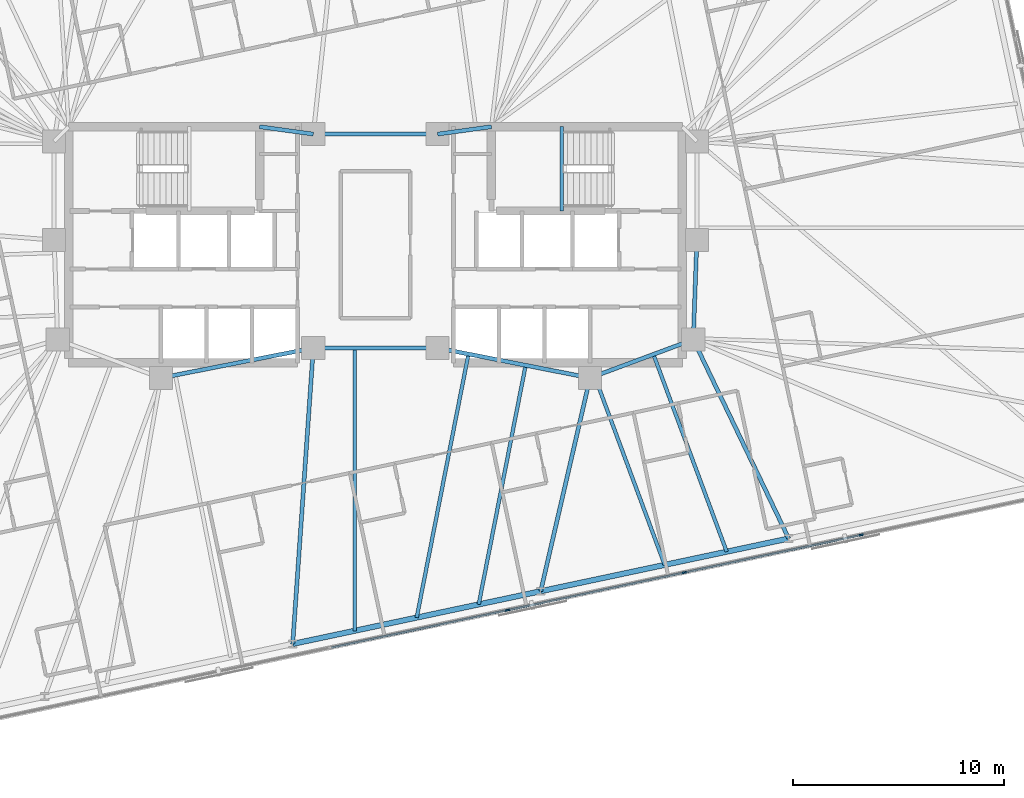
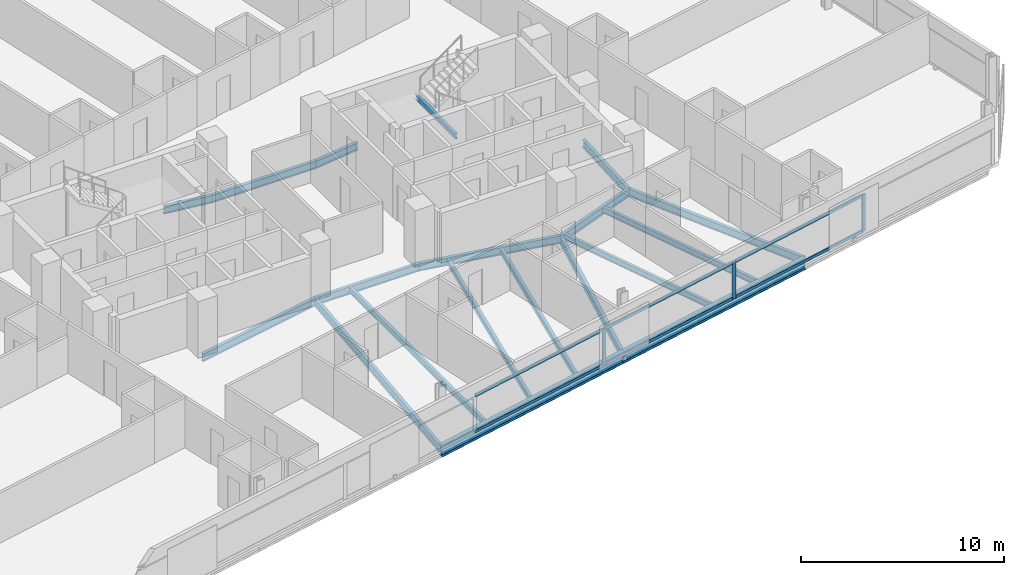
# One storey, part 7 of 20: 19 beams, 9 members, 1 element without a shape of its own.
"""IFC4 building model written with IfcOpenShell, lengths in metres."""

from ifc_helpers import new_model, si_unit, direction, frame, origin, origin_2d, place, context, subcontext, project, spatial, rectangle, i_section, extrude, material, material_profile, profile_set, type_object, element, aggregate, save


model = new_model("IFC4")

# Units and contexts
model_context = context("Model", 3, precision=1e-05, world=origin(), true_north=direction((0.0, 1.0)))
body_context = subcontext(model_context, "Body", "Model", "MODEL_VIEW")
ifc_project = project(units=[si_unit("LENGTHUNIT", "METRE"), si_unit("AREAUNIT", "SQUARE_METRE"), si_unit("VOLUMEUNIT", "CUBIC_METRE"), si_unit("PLANEANGLEUNIT", "RADIAN"), si_unit("MASSUNIT", "GRAM", prefix="KILO")], contexts=[model_context])

# Site, building, storey
site_placement = place(None, origin())
site = spatial("IfcSite", under=ifc_project, at=site_placement, CompositionType="ELEMENT")
building_placement = place(site_placement, origin())
building = spatial("IfcBuilding", under=site, at=building_placement, Name="Menara Jurai Vektor", CompositionType="ELEMENT")
storey_placement = place(building_placement, frame((0.0, 0.0, 199.0)))
storey = spatial("IfcBuildingStorey", under=building, at=storey_placement, Name="L52", CompositionType="ELEMENT", Elevation=199.0)

# Curtain wall, members
ifc_material_1 = material(Name="Anodised Pale Aluminium & Low-E Double Glazing", Category="aluminium")
curtain_wall_type = type_object("IfcCurtainWallType", Name="CW-BLK3", PredefinedType="NOTDEFINED", material=ifc_material_1)
curtain_wall_placement = place(storey_placement, origin())
curtain_wall = element("IfcCurtainWall", 1, at=curtain_wall_placement, inside=storey, type_object=curtain_wall_type, Name="Unitised Curtain Wall L52 F01", PredefinedType="NOTDEFINED")
ifc_material_2 = material(Name="Anodised Pale Aluminium Mullion", Category="aluminium")
ifc_material_profile_1 = material_profile(ifc_material_2, rectangle(XDim=0.0849609375, YDim=0.205078125, at=origin_2d()), Name="ALU MUL 85x205")
ifc_profile_set_1 = profile_set([ifc_material_profile_1], Name="Anodised Pale Aluminium Mullion")
member_type_1 = type_object("IfcMemberType", Name="CW-BLK3-MUL", PredefinedType="MULLION", material=ifc_profile_set_1)
member_1_placement = place(storey_placement, frame((6.264892578125, -17.338623046875, 0.0), z_axis=(0.0, 0.0, 1.0), x_axis=(-0.207911344156, 0.978147674419, 0.0)))
member_1 = element("IfcMember", 2, at=member_1_placement, type_object=member_type_1, Name="CW-03 mullion 5", PredefinedType="MULLION", context=body_context, shape_type="SweptSolid", body=[
    extrude(rectangle(XDim=0.0849609375, YDim=0.205078125, at=origin_2d()), origin(), (0.0, 0.0, 1.0), 2.22509765625),
])
member_2_placement = place(storey_placement, frame((14.65478515625, -15.55517578125, 0.0), z_axis=(0.0, 0.0, 1.0), x_axis=(-0.207911344156, 0.978147674419, 0.0)))
member_2 = element("IfcMember", 3, at=member_2_placement, type_object=member_type_1, Name="CW-03 mullion 6", PredefinedType="MULLION", context=body_context, shape_type="SweptSolid", body=[
    extrude(rectangle(XDim=0.0849609375, YDim=0.205078125, at=origin_2d()), origin(), (0.0, 0.0, 1.0), 2.22509765625),
])
member_3_placement = place(storey_placement, frame((23.04443359375, -13.77197265625, 0.0), z_axis=(0.0, 0.0, 1.0), x_axis=(-0.207911344156, 0.978147674419, 0.0)))
member_3 = element("IfcMember", 4, at=member_3_placement, type_object=member_type_1, Name="CW-03 mullion 7", PredefinedType="MULLION", context=body_context, shape_type="SweptSolid", body=[
    extrude(rectangle(XDim=0.0849609375, YDim=0.205078125, at=origin_2d()), origin(), (0.0, 0.0, 1.0), 2.22509765625),
])
ifc_material_3 = material(Name="Anodised Pale Aluminium Transom", Category="aluminium")
ifc_material_profile_2 = material_profile(ifc_material_3, rectangle(XDim=0.0849609375, YDim=0.175048828125, at=origin_2d()), Name="ALU TRN 85x175")
ifc_profile_set_2 = profile_set([ifc_material_profile_2], Name="Anodised Pale Aluminium Transom")
member_type_2 = type_object("IfcMemberType", Name="CW-BLK3-TRN", PredefinedType="USERDEFINED", material=ifc_profile_set_2)
member_4_placement = place(storey_placement, frame((-2.083251953125, -19.113037109375, 0.04248046875), z_axis=(0.978147743708, 0.207911018178, 0.0), x_axis=(-0.207911018178, 0.978147743708, 0.0)))
member_4 = element("IfcMember", 5, at=member_4_placement, type_object=member_type_2, Name="CW-03 transom 4.1", ObjectType="TRANSOM", PredefinedType="USERDEFINED", context=body_context, shape_type="SweptSolid", body=[
    extrude(rectangle(XDim=0.0849609375, YDim=0.175048828125, at=origin_2d()), origin(), (0.0, 0.0, 1.0), 8.4921875),
])
member_5_placement = place(storey_placement, frame((-2.083251953125, -19.113037109375, 2.1826171875), z_axis=(0.978147743708, 0.207911018178, 0.0), x_axis=(-0.207911018178, 0.978147743708, 0.0)))
member_5 = element("IfcMember", 6, at=member_5_placement, type_object=member_type_2, Name="CW-03 transom 4.2", ObjectType="TRANSOM", PredefinedType="USERDEFINED", context=body_context, shape_type="SweptSolid", body=[
    extrude(rectangle(XDim=0.0849609375, YDim=0.175048828125, at=origin_2d()), origin(), (0.0, 0.0, 1.0), 8.4921875),
])
member_6_placement = place(storey_placement, frame((6.306640625, -17.329833984375, 0.04248046875), z_axis=(0.978146500933, 0.207916864907, 0.0), x_axis=(-0.207916864907, 0.978146500933, 0.0)))
member_6 = element("IfcMember", 7, at=member_6_placement, type_object=member_type_2, Name="CW-03 transom 5.1", ObjectType="TRANSOM", PredefinedType="USERDEFINED", context=body_context, shape_type="SweptSolid", body=[
    extrude(rectangle(XDim=0.0849609375, YDim=0.175048828125, at=origin_2d()), origin(), (0.0, 0.0, 1.0), 8.491943359375),
])
member_7_placement = place(storey_placement, frame((6.306640625, -17.329833984375, 2.1826171875), z_axis=(0.978146500933, 0.207916864907, 0.0), x_axis=(-0.207916864907, 0.978146500933, 0.0)))
member_7 = element("IfcMember", 8, at=member_7_placement, type_object=member_type_2, Name="CW-03 transom 5.2", ObjectType="TRANSOM", PredefinedType="USERDEFINED", context=body_context, shape_type="SweptSolid", body=[
    extrude(rectangle(XDim=0.0849609375, YDim=0.175048828125, at=origin_2d()), origin(), (0.0, 0.0, 1.0), 8.491943359375),
])
member_8_placement = place(storey_placement, frame((14.6962890625, -15.54638671875, 0.04248046875), z_axis=(0.978147743708, 0.207911018178, 0.0), x_axis=(-0.207911018178, 0.978147743708, 0.0)))
member_8 = element("IfcMember", 9, at=member_8_placement, type_object=member_type_2, Name="CW-03 transom 6.1", ObjectType="TRANSOM", PredefinedType="USERDEFINED", context=body_context, shape_type="SweptSolid", body=[
    extrude(rectangle(XDim=0.0849609375, YDim=0.175048828125, at=origin_2d()), origin(), (0.0, 0.0, 1.0), 8.4921875),
])
member_9_placement = place(storey_placement, frame((14.6962890625, -15.54638671875, 2.1826171875), z_axis=(0.978147743708, 0.207911018178, 0.0), x_axis=(-0.207911018178, 0.978147743708, 0.0)))
member_9 = element("IfcMember", 10, at=member_9_placement, type_object=member_type_2, Name="CW-03 transom 6.2", ObjectType="TRANSOM", PredefinedType="USERDEFINED", context=body_context, shape_type="SweptSolid", body=[
    extrude(rectangle(XDim=0.0849609375, YDim=0.175048828125, at=origin_2d()), origin(), (0.0, 0.0, 1.0), 8.4921875),
])
aggregate(curtain_wall, [member_1, member_2, member_3, member_4, member_5, member_6, member_7, member_8, member_9])

# Beams
ifc_material_4 = material(Name="Steel S355", Category="steel")
ifc_material_profile_3 = material_profile(ifc_material_4, i_section(OverallWidth=0.19091796875, OverallDepth=0.4599609375, WebThickness=0.010009765625, FlangeThickness=0.01611328125, FilletRadius=0.010009765625, at=origin_2d()), Name="UKB 457x191x82")
ifc_profile_set_3 = profile_set([ifc_material_profile_3], Name="Steel S355")
beam_type_1 = type_object("IfcBeamType", Name="STR-BM-457", PredefinedType="BEAM", material=ifc_profile_set_3)
beam_1_placement = place(storey_placement, frame((-5.5, 5.60009765625, -0.455078125), z_axis=(0.990706818608, -0.136014703483, 0.0), x_axis=(0.136014703483, 0.990706818608, 0.0)))
element("IfcBeam", 11, at=beam_1_placement, inside=storey, type_object=beam_type_1, Name="Core Ring Header Girder L52-CHW-N2", PredefinedType="BEAM", context=body_context, shape_type="SweptSolid", body=[
    extrude(i_section(OverallWidth=0.19091796875, OverallDepth=0.4599609375, WebThickness=0.010009765625, FlangeThickness=0.01611328125, FilletRadius=0.010009765625, at=origin_2d()), origin(), (0.0, 0.0, 1.0), 2.573974609375),
])
beam_2_placement = place(storey_placement, frame((-10.179931640625, -6.320068359375, -0.455078125), z_axis=(0.981249044334, 0.192744164614, 0.0), x_axis=(-0.192744164614, 0.981249044334, 0.0)))
element("IfcBeam", 12, at=beam_2_placement, inside=storey, type_object=beam_type_1, Name="Core Ring Header Girder L52-CHW-S2", PredefinedType="BEAM", context=body_context, shape_type="SweptSolid", body=[
    extrude(i_section(OverallWidth=0.19091796875, OverallDepth=0.4599609375, WebThickness=0.010009765625, FlangeThickness=0.01611328125, FilletRadius=0.010009765625, at=origin_2d()), origin(), (0.0, 0.0, 1.0), 7.3681640625),
])
beam_3_placement = place(storey_placement, frame((2.949951171875, 5.25, -0.455078125), z_axis=(0.990706818608, 0.136014703483, 0.0), x_axis=(-0.136014703483, 0.990706818608, 0.0)))
element("IfcBeam", 13, at=beam_3_placement, inside=storey, type_object=beam_type_1, Name="Core Ring Header Girder L52-CHE-N1", PredefinedType="BEAM", context=body_context, shape_type="SweptSolid", body=[
    extrude(i_section(OverallWidth=0.19091796875, OverallDepth=0.4599609375, WebThickness=0.010009765625, FlangeThickness=0.01611328125, FilletRadius=0.010009765625, at=origin_2d()), origin(), (0.0, 0.0, 1.0), 2.573974609375),
])
beam_4_placement = place(storey_placement, frame((15.080078125, -4.5, -0.455078125), z_axis=(0.035977314146, 0.999352606874, 0.0), x_axis=(-0.999352606874, 0.035977314146, 0.0)))
element("IfcBeam", 14, at=beam_4_placement, inside=storey, type_object=beam_type_1, Name="Core Ring Header Girder L52-CHE-E2", PredefinedType="BEAM", context=body_context, shape_type="SweptSolid", body=[
    extrude(i_section(OverallWidth=0.19091796875, OverallDepth=0.4599609375, WebThickness=0.010009765625, FlangeThickness=0.01611328125, FilletRadius=0.010009765625, at=origin_2d()), origin(), (0.0, 0.0, 1.0), 4.72314453125),
])
beam_5_placement = place(storey_placement, frame((10.179931640625, -6.320068359375, -0.455078125), z_axis=(0.937424400887, 0.348188874925, 0.0), x_axis=(-0.348188874925, 0.937424400887, 0.0)))
element("IfcBeam", 15, at=beam_5_placement, inside=storey, type_object=beam_type_1, Name="Core Ring Header Girder L52-CHE-S1", PredefinedType="BEAM", context=body_context, shape_type="SweptSolid", body=[
    extrude(i_section(OverallWidth=0.19091796875, OverallDepth=0.4599609375, WebThickness=0.010009765625, FlangeThickness=0.01611328125, FilletRadius=0.010009765625, at=origin_2d()), origin(), (0.0, 0.0, 1.0), 5.227294921875),
])
beam_6_placement = place(storey_placement, frame((2.949951171875, -4.89990234375, -0.455078125), z_axis=(0.981249044334, -0.192744164614, 0.0), x_axis=(0.192744164614, 0.981249044334, 0.0)))
element("IfcBeam", 16, at=beam_6_placement, inside=storey, type_object=beam_type_1, Name="Core Ring Header Girder L52-CHE-S2", PredefinedType="BEAM", context=body_context, shape_type="SweptSolid", body=[
    extrude(i_section(OverallWidth=0.19091796875, OverallDepth=0.4599609375, WebThickness=0.010009765625, FlangeThickness=0.01611328125, FilletRadius=0.010009765625, at=origin_2d()), origin(), (0.0, 0.0, 1.0), 7.3681640625),
])
for number, where, z_axis, x_axis, name in (
    (17, (-2.949951171875, -4.89990234375, -0.455078125), (1.0, 0.0, 0.0), (0.0, 1.0, 0.0), "Core Ring Header Girder L52-CC-1"),
    (18, (-2.949951171875, 5.25, -0.455078125), (1.0, 0.0, 0.0), (0.0, 1.0, 0.0), "Core Ring Header Girder L52-CC-2"),
):
    element("IfcBeam", number, at=place(storey_placement, frame(where, z_axis=z_axis, x_axis=x_axis)), inside=storey, type_object=beam_type_1, Name=name, PredefinedType="BEAM", context=body_context, shape_type="SweptSolid", body=[
        extrude(i_section(OverallWidth=0.19091796875, OverallDepth=0.4599609375, WebThickness=0.010009765625, FlangeThickness=0.01611328125, FilletRadius=0.010009765625, at=origin_2d()), origin(), (0.0, 0.0, 1.0), 5.89990234375),
    ])
beam_7_placement = place(storey_placement, frame((-3.928466796875, -18.94287109375, -0.455078125), z_axis=(0.06951156523, 0.997581145722, 0.0), x_axis=(-0.997581145722, 0.06951156523, 0.0)))
element("IfcBeam", 19, at=beam_7_placement, inside=storey, type_object=beam_type_1, Name="Radial Floor Girder L52-S3", PredefinedType="BEAM", context=body_context, shape_type="SweptSolid", body=[
    extrude(i_section(OverallWidth=0.19091796875, OverallDepth=0.4599609375, WebThickness=0.010009765625, FlangeThickness=0.01611328125, FilletRadius=0.010009765625, at=origin_2d()), origin(), (0.0, 0.0, 1.0), 14.076904296875),
])
beam_8_placement = place(storey_placement, frame((7.83984375, -16.44140625, -0.455078125), z_axis=(0.225261124248, 0.974298427538, 0.0), x_axis=(-0.974298427538, 0.225261124248, 0.0)))
element("IfcBeam", 20, at=beam_8_placement, inside=storey, type_object=beam_type_1, Name="Radial Floor Girder L52-S4", PredefinedType="BEAM", context=body_context, shape_type="SweptSolid", body=[
    extrude(i_section(OverallWidth=0.19091796875, OverallDepth=0.4599609375, WebThickness=0.010009765625, FlangeThickness=0.01611328125, FilletRadius=0.010009765625, at=origin_2d()), origin(), (0.0, 0.0, 1.0), 10.388427734375),
])
beam_9_placement = place(storey_placement, frame((19.608154296875, -13.940185546875, -0.455078125), z_axis=(-0.432481646932, 0.901642736935, 0.0), x_axis=(-0.901642736935, -0.432481646932, 0.0)))
element("IfcBeam", 21, at=beam_9_placement, inside=storey, type_object=beam_type_1, Name="Radial Floor Girder L52-S5", PredefinedType="BEAM", context=body_context, shape_type="SweptSolid", body=[
    extrude(i_section(OverallWidth=0.19091796875, OverallDepth=0.4599609375, WebThickness=0.010009765625, FlangeThickness=0.01611328125, FilletRadius=0.010009765625, at=origin_2d()), origin(), (0.0, 0.0, 1.0), 10.469970703125),
])
ifc_material_profile_4 = material_profile(ifc_material_4, i_section(OverallWidth=0.172119140625, OverallDepth=0.35498046875, WebThickness=0.007080078125, FlangeThickness=0.011962890625, FilletRadius=0.010009765625, at=origin_2d()), Name="UKB 356x171x51")
ifc_profile_set_4 = profile_set([ifc_material_profile_4], Name="Steel S355")
beam_type_2 = type_object("IfcBeamType", Name="STR-JS-356", PredefinedType="JOIST", material=ifc_profile_set_4)
beam_10_placement = place(storey_placement, frame((-0.986328125, -18.3173828125, -0.402587890625), z_axis=(0.0, 1.0, 0.0), x_axis=(-1.0, 0.0, 0.0)))
element("IfcBeam", 22, at=beam_10_placement, inside=storey, type_object=beam_type_2, Name="Radial Secondary Floor Joist L52-JS05", PredefinedType="JOIST", context=body_context, shape_type="SweptSolid", body=[
    extrude(i_section(OverallWidth=0.172119140625, OverallDepth=0.35498046875, WebThickness=0.007080078125, FlangeThickness=0.011962890625, FilletRadius=0.010009765625, at=origin_2d()), origin(), (0.0, 0.0, 1.0), 13.41748046875),
])
beam_11_placement = place(storey_placement, frame((1.955810546875, -17.692138671875, -0.402587890625), z_axis=(0.192721917664, 0.981253413982, 0.0), x_axis=(-0.981253413982, 0.192721917664, 0.0)))
element("IfcBeam", 23, at=beam_11_placement, inside=storey, type_object=beam_type_2, Name="Radial Secondary Floor Joist L52-JS06", PredefinedType="JOIST", context=body_context, shape_type="SweptSolid", body=[
    extrude(i_section(OverallWidth=0.172119140625, OverallDepth=0.35498046875, WebThickness=0.007080078125, FlangeThickness=0.011962890625, FilletRadius=0.010009765625, at=origin_2d()), origin(), (0.0, 0.0, 1.0), 12.744140625),
])
beam_12_placement = place(storey_placement, frame((4.897705078125, -17.06689453125, -0.402587890625), z_axis=(0.19272061905, 0.981253669034, 0.0), x_axis=(-0.981253669034, 0.19272061905, 0.0)))
element("IfcBeam", 24, at=beam_12_placement, inside=storey, type_object=beam_type_2, Name="Radial Secondary Floor Joist L52-JS07", PredefinedType="JOIST", context=body_context, shape_type="SweptSolid", body=[
    extrude(i_section(OverallWidth=0.172119140625, OverallDepth=0.35498046875, WebThickness=0.007080078125, FlangeThickness=0.011962890625, FilletRadius=0.010009765625, at=origin_2d()), origin(), (0.0, 0.0, 1.0), 11.5634765625),
])
beam_13_placement = place(storey_placement, frame((13.72412109375, -15.19091796875, -0.402587890625), z_axis=(-0.348196799641, 0.93742145736, 0.0), x_axis=(-0.93742145736, -0.348196799641, 0.0)))
element("IfcBeam", 25, at=beam_13_placement, inside=storey, type_object=beam_type_2, Name="Radial Secondary Floor Joist L52-JS08", PredefinedType="JOIST", context=body_context, shape_type="SweptSolid", body=[
    extrude(i_section(OverallWidth=0.172119140625, OverallDepth=0.35498046875, WebThickness=0.007080078125, FlangeThickness=0.011962890625, FilletRadius=0.010009765625, at=origin_2d()), origin(), (0.0, 0.0, 1.0), 9.5498046875),
])
beam_14_placement = place(storey_placement, frame((16.666015625, -14.5654296875, -0.402587890625), z_axis=(-0.348180392292, 0.93742755156, 0.0), x_axis=(-0.93742755156, -0.348180392292, 0.0)))
element("IfcBeam", 26, at=beam_14_placement, inside=storey, type_object=beam_type_2, Name="Radial Secondary Floor Joist L52-JS09", PredefinedType="JOIST", context=body_context, shape_type="SweptSolid", body=[
    extrude(i_section(OverallWidth=0.172119140625, OverallDepth=0.35498046875, WebThickness=0.007080078125, FlangeThickness=0.011962890625, FilletRadius=0.010009765625, at=origin_2d()), origin(), (0.0, 0.0, 1.0), 9.98779296875),
])
ifc_material_profile_5 = material_profile(ifc_material_4, i_section(OverallWidth=0.1650390625, OverallDepth=0.302978515625, WebThickness=0.006103515625, FlangeThickness=0.010009765625, FilletRadius=0.009033203125, at=origin_2d()), Name="UKB 305x165x40")
ifc_profile_set_5 = profile_set([ifc_material_profile_5], Name="Steel S355")
beam_type_3 = type_object("IfcBeamType", Name="STR-LN-305", PredefinedType="LINTEL", material=ifc_profile_set_5)
beam_15_placement = place(storey_placement, frame((8.830078125, 1.60009765625, 1.348388671875), z_axis=(0.0, 1.0, 0.0), x_axis=(-1.0, 0.0, 0.0)))
element("IfcBeam", 27, at=beam_15_placement, inside=storey, type_object=beam_type_3, Name="Stair Half-Landing Nosing Trimmer ST2-1 L52", PredefinedType="LINTEL", context=body_context, shape_type="SweptSolid", body=[
    extrude(i_section(OverallWidth=0.1650390625, OverallDepth=0.302978515625, WebThickness=0.006103515625, FlangeThickness=0.010009765625, FilletRadius=0.009033203125, at=origin_2d()), origin(), (0.0, 0.0, 1.0), 4.0),
])
ifc_material_5 = material(Name="Steel S460", Category="steel")
ifc_material_profile_6 = material_profile(ifc_material_5, i_section(OverallWidth=0.256103515625, OverallDepth=0.693115234375, WebThickness=0.013916015625, FlangeThickness=0.02392578125, FilletRadius=0.014892578125, at=origin_2d()), Name="UKB 686x254x170")
ifc_profile_set_6 = profile_set([ifc_material_profile_6], Name="Steel S460")
beam_type_4 = type_object("IfcBeamType", Name="STR-SP-686", PredefinedType="SPANDREL", material=ifc_profile_set_6)
for number, where, z_axis, x_axis, name in (
    (28, (-3.928466796875, -18.94287109375, -0.571533203125), (0.978147039247, 0.207914332389, 0.0), (-0.207914332389, 0.978147039247, 0.0), "Exoskeleton Spandrel Beam L52-03"),
    (29, (7.83984375, -16.44140625, -0.571533203125), (0.978151165921, 0.207894917222, 0.0), (-0.207894917222, 0.978151165921, 0.0), "Exoskeleton Spandrel Beam L52-04"),
):
    element("IfcBeam", number, at=place(storey_placement, frame(where, z_axis=z_axis, x_axis=x_axis)), inside=storey, type_object=beam_type_4, Name=name, PredefinedType="SPANDREL", context=body_context, shape_type="SweptSolid", body=[
        extrude(i_section(OverallWidth=0.256103515625, OverallDepth=0.693115234375, WebThickness=0.013916015625, FlangeThickness=0.02392578125, FilletRadius=0.014892578125, at=origin_2d()), origin(), (0.0, 0.0, 1.0), 12.03125),
    ])

save(model, "model.ifc")
